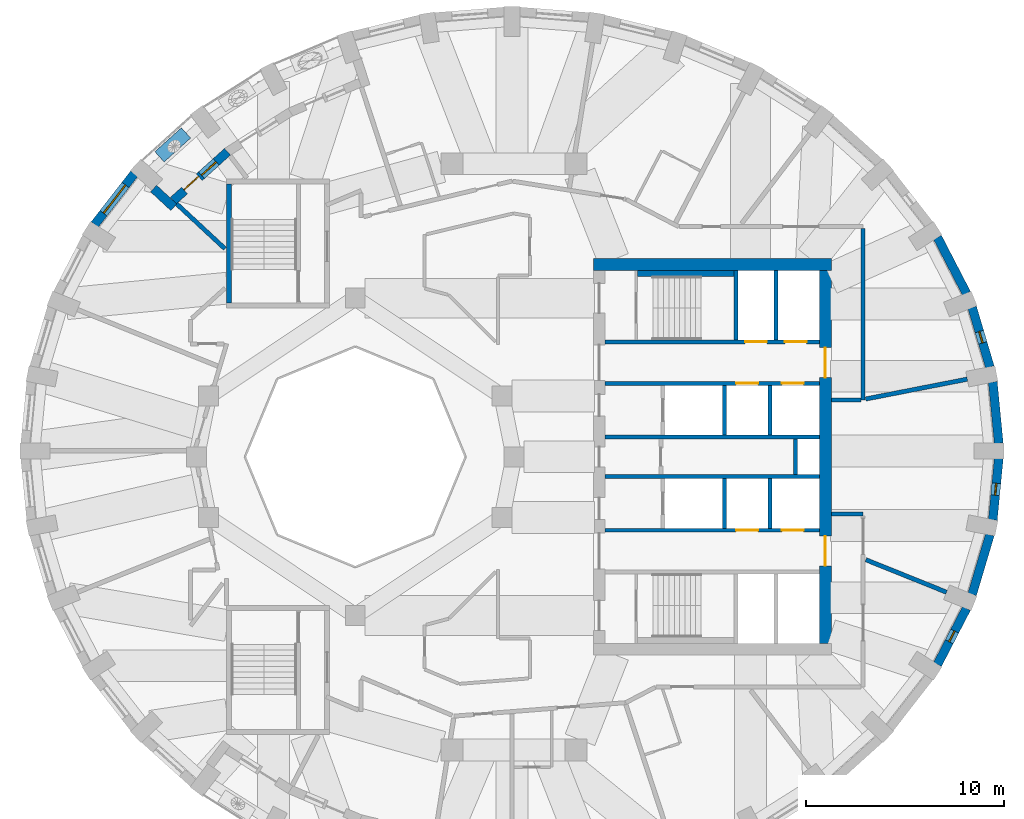
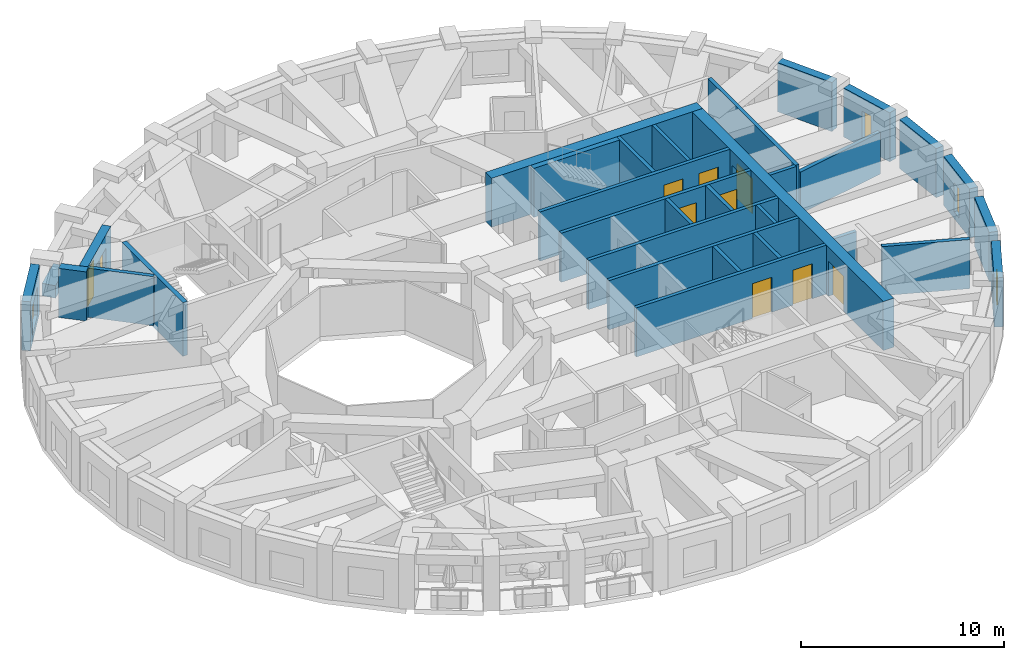
# One storey, part 6 of 12: 32 walls, 9 doors, 5 windows, 14 openings.
"""IFC4 building model written with IfcOpenShell, lengths in metres."""

import ifcopenshell
import ifcopenshell.guid

model = None  # the IFC model being written
_history = None  # IfcOwnerHistory: only IFC2X3 demands one
_inside = {}  # id of a spatial element -> (the spatial element, [elements in it])
_under = {}  # id of a project, library or spatial element -> (it, [spatial elements below it])
_declared = {}  # id of a project -> (the project, [libraries it declares])
_typed = {}  # id of a type object -> (the type object, [elements of that type])
_made_of = {}  # id of a material, layer set ... -> (it, [elements and type objects made of it])


def new_model(schema):
    """Start an empty IFC model of exactly this schema.

    Asked for "IFC4X3", IfcOpenShell would pick the latest addendum, in which some entities
    have other attributes; the version numbers below select the first issue.
    IFC2X3 requires an IfcOwnerHistory on every rooted entity: one is made here for all.
    """
    global model, _history
    if schema == "IFC4X3":
        model = ifcopenshell.file(schema_version=(4, 3, 0, 0))
    else:
        model = ifcopenshell.file(schema=schema)
    _inside.clear()
    _under.clear()
    _declared.clear()
    _typed.clear()
    _made_of.clear()
    _history = None
    if model.schema == "IFC2X3":
        org = make("IfcOrganization", Name="unknown")
        user = make(
            "IfcPersonAndOrganization",
            ThePerson=make("IfcPerson", FamilyName="unknown"),
            TheOrganization=org,
        )
        app = make(
            "IfcApplication",
            ApplicationDeveloper=org,
            Version="unknown",
            ApplicationFullName="unknown",
            ApplicationIdentifier="unknown",
        )
        _history = make(
            "IfcOwnerHistory",
            OwningUser=user,
            OwningApplication=app,
            ChangeAction="ADDED",
            CreationDate=0,
        )
    return model


def make(cls, **values):
    """One entity of the class cls with the attributes given. An attribute that is None is left unset."""
    return model.create_entity(
        cls, **{name: value for name, value in values.items() if value is not None}
    )


def rooted(cls, **values):
    """An entity with a GlobalId (a new one), such as an element, a storey or a relation."""
    return make(cls, GlobalId=ifcopenshell.guid.new(), OwnerHistory=_history, **values)


def si_unit(unit_type, name, prefix=None):
    """IfcSIUnit, for example si_unit("LENGTHUNIT", "METRE", prefix="MILLI")."""
    return make("IfcSIUnit", UnitType=unit_type, Prefix=prefix, Name=name)


def assignment(units):
    """IfcUnitAssignment: the units of a project."""
    return None if units is None else make("IfcUnitAssignment", Units=units)


def point(xyz):
    """IfcCartesianPoint."""
    return None if xyz is None else make("IfcCartesianPoint", Coordinates=xyz)


def direction(xyz):
    """IfcDirection."""
    return None if xyz is None else make("IfcDirection", DirectionRatios=xyz)


def frame(location, z_axis=None, x_axis=None):
    """IfcAxis2Placement3D, a coordinate frame: its origin and axes. An axis left out is left unset."""
    return make(
        "IfcAxis2Placement3D",
        Location=point(location),
        Axis=direction(z_axis),
        RefDirection=direction(x_axis),
    )


def frame_2d(location, x_axis=None):
    """IfcAxis2Placement2D, a coordinate frame in the plane: its origin and x axis."""
    return make(
        "IfcAxis2Placement2D", Location=point(location), RefDirection=direction(x_axis)
    )


def origin():
    """The frame at (0, 0, 0) with its axes left unset."""
    return frame((0.0, 0.0, 0.0))


def place(relative_to, where):
    """IfcLocalPlacement: puts the frame where relative to a parent placement (None: the world)."""
    return make(
        "IfcLocalPlacement", PlacementRelTo=relative_to, RelativePlacement=where
    )


def context(
    kind, dimensions, precision=None, world=None, true_north=None, identifier=None
):
    """IfcGeometricRepresentationContext, for example the 3D "Model" context."""
    return make(
        "IfcGeometricRepresentationContext",
        ContextIdentifier=identifier,
        ContextType=kind,
        CoordinateSpaceDimension=dimensions,
        Precision=precision,
        WorldCoordinateSystem=world,
        TrueNorth=true_north,
    )


def subcontext(parent, identifier, kind, view, scale=None):
    """IfcGeometricRepresentationSubContext, for example "Body" below "Model"."""
    return make(
        "IfcGeometricRepresentationSubContext",
        ContextIdentifier=identifier,
        ContextType=kind,
        ParentContext=parent,
        TargetScale=scale,
        TargetView=view,
    )


def project(units=None, contexts=None):
    """IfcProject with its units and contexts."""
    return rooted(
        "IfcProject",
        Name="project",
        RepresentationContexts=contexts,
        UnitsInContext=assignment(units),
    )


def spatial(cls, under=None, at=None, **own):
    """A site, building, storey or space (cls), placed at a placement, below another one or the project."""
    s = rooted(cls, ObjectPlacement=at, **own)
    if under is not None:
        _under.setdefault(under.id(), (under, []))[1].append(s)
    return s


def profile(cls, at=None, kind="AREA", **sizes):
    """A parametric profile (cls). Its sizes go by their IFC names, for example OverallWidth=200.0."""
    return make(cls, ProfileType=kind, Position=at, **sizes)


def rectangle(**sizes):
    """IfcRectangleProfileDef."""
    return profile("IfcRectangleProfileDef", **sizes)


def extrude(swept, where, along, depth):
    """IfcExtrudedAreaSolid: the profile swept, set in the frame where, extruded along a direction by depth."""
    return make(
        "IfcExtrudedAreaSolid",
        SweptArea=swept,
        Position=where,
        ExtrudedDirection=direction(along),
        Depth=depth,
    )


def shape(context_of_items, identifier, shape_type, items):
    """IfcShapeRepresentation: the items that make up one representation, for example the "Body"."""
    return make(
        "IfcShapeRepresentation",
        ContextOfItems=context_of_items,
        RepresentationIdentifier=identifier,
        RepresentationType=shape_type,
        Items=items,
    )


def material(Name=None, Category=None):
    """IfcMaterial."""
    return make("IfcMaterial", Name=Name, Category=Category)


def layer(
    of_material, thickness, ventilated=None, Name=None, Category=None, Priority=None
):
    """IfcMaterialLayer: one layer of a wall or slab, of a material (None: an air gap)."""
    return make(
        "IfcMaterialLayer",
        Material=of_material,
        LayerThickness=thickness,
        IsVentilated=ventilated,
        Name=Name,
        Category=Category,
        Priority=Priority,
    )


def layer_set(layers, Name=None):
    """IfcMaterialLayerSet."""
    return make("IfcMaterialLayerSet", MaterialLayers=layers, LayerSetName=Name)


def constituent(of_material, Name=None, Category=None, fraction=None):
    """IfcMaterialConstituent: one of the materials an element consists of."""
    return make(
        "IfcMaterialConstituent",
        Name=Name,
        Material=of_material,
        Fraction=fraction,
        Category=Category,
    )


def constituent_set(constituents=None, Name=None):
    """IfcMaterialConstituentSet."""
    return make(
        "IfcMaterialConstituentSet", Name=Name, MaterialConstituents=constituents
    )


def made_of(thing, what):
    """Note that an element or type object is made of a material, layer set ...; save() writes the relation."""
    if what is not None:
        _made_of.setdefault(what.id(), (what, []))[1].append(thing)
    return thing


def type_object(cls, material=None, **own):
    """A type object (cls), such as IfcWallType, which elements share."""
    return made_of(rooted(cls, **own), material)


def element(
    cls,
    number,
    at=None,
    inside=None,
    cuts=None,
    type_object=None,
    material=None,
    context=None,
    identifier="Body",
    shape_type=None,
    held_by="IfcProductDefinitionShape",
    body=None,
    shapes=None,
    **own,
):
    """One element of the class cls, such as IfcWall. Its Tag is "e" and its number.

    at: its placement. inside: the storey or other place that contains it. cuts: it is an
    opening in that element (IfcRelVoidsElement). A single representation is given by context,
    identifier, shape_type and body (its items); several are given by shapes. held_by: the class
    of the entity that holds the representations. save() writes the other relations.
    """
    e = rooted(cls, Tag="e%d" % number, ObjectPlacement=at, **own)
    if body is not None:
        shapes = [shape(context, identifier, shape_type, body)]
    if shapes is not None:
        e.Representation = make(held_by, Representations=shapes)
    if inside is not None:
        _inside.setdefault(inside.id(), (inside, []))[1].append(e)
    if cuts is not None:
        rooted(
            "IfcRelVoidsElement", RelatingBuildingElement=cuts, RelatedOpeningElement=e
        )
    if type_object is not None:
        _typed.setdefault(type_object.id(), (type_object, []))[1].append(e)
    return made_of(e, material)


def fill(opening, filler):
    """IfcRelFillsElement: the door or window that sits in an opening."""
    return rooted(
        "IfcRelFillsElement",
        RelatingOpeningElement=opening,
        RelatedBuildingElement=filler,
    )


def aggregate(whole, parts):
    """IfcRelAggregates: a whole, such as a stair, and the parts it consists of."""
    return rooted("IfcRelAggregates", RelatingObject=whole, RelatedObjects=parts)


def save(model, path):
    """Write the relations noted so far, then the file.

    IfcRelAggregates (storeys below a building ...), IfcRelContainedInSpatialStructure (elements
    in a storey), IfcRelDefinesByType, IfcRelAssociatesMaterial and IfcRelDeclares: one each for
    every whole, place, type object, material and project.
    """
    for whole, parts in _under.values():
        aggregate(whole, parts)
    for where, things in _inside.values():
        rooted(
            "IfcRelContainedInSpatialStructure",
            RelatedElements=things,
            RelatingStructure=where,
        )
    for kind, things in _typed.values():
        rooted("IfcRelDefinesByType", RelatedObjects=things, RelatingType=kind)
    for what, things in _made_of.values():
        rooted("IfcRelAssociatesMaterial", RelatedObjects=things, RelatingMaterial=what)
    for by, libraries in _declared.values():
        rooted("IfcRelDeclares", RelatingContext=by, RelatedDefinitions=libraries)
    model.write(path)


model = new_model("IFC4")

# Units and contexts
model_context = context("Model", 3, precision=1e-05, world=origin(), true_north=direction((0.0, 1.0)))
body_context = subcontext(model_context, "Body", "Model", "MODEL_VIEW")
ifc_project = project(units=[si_unit("LENGTHUNIT", "METRE"), si_unit("AREAUNIT", "SQUARE_METRE"), si_unit("VOLUMEUNIT", "CUBIC_METRE"), si_unit("PLANEANGLEUNIT", "RADIAN"), si_unit("MASSUNIT", "GRAM", prefix="KILO")], contexts=[model_context])

# Site, building, storey
site_placement = place(None, origin())
site = spatial("IfcSite", under=ifc_project, at=site_placement, CompositionType="ELEMENT")
building_placement = place(site_placement, origin())
building = spatial("IfcBuilding", under=site, at=building_placement, Name="Taillehof Tower", CompositionType="ELEMENT")
storey_placement = place(building_placement, frame((0.0, 0.0, 256.39990234375)))
storey = spatial("IfcBuildingStorey", under=building, at=storey_placement, Name="L73", CompositionType="ELEMENT", Elevation=256.39990234375)

# Wall
ifc_material_1 = material(Name="Brick masonry", Category="masonry")
ifc_layer_1 = layer(ifc_material_1, 0.449951171875)
ifc_layer_set_1 = layer_set([ifc_layer_1], Name="Brick infill wall 450")
wall_type_1 = type_object("IfcWallType", Name="Brick infill wall 450", PredefinedType="SOLIDWALL", material=ifc_layer_set_1)
wall_1_placement = place(storey_placement, frame((24.43701171875, 0.68017578125, 0.0), z_axis=(0.0, 0.0, 1.0), x_axis=(-0.096740086873, 0.995309678237, 0.0)))
element("IfcWall", 1, at=wall_1_placement, inside=storey, type_object=wall_type_1, Name="Brick wall L73 bay 1", PredefinedType="SOLIDWALL", context=body_context, shape_type="SweptSolid", body=[
    extrude(rectangle(XDim=3.1142578125, YDim=0.449951171875, at=frame_2d((1.55712890625, 0.0))), origin(), (0.0, 0.0, 1.0), 2.9501953125),
])

# Wall, opening, window
wall_2_placement = place(storey_placement, frame((23.989990234375, 4.52587890625, 0.0), z_axis=(0.0, 0.0, 1.0), x_axis=(-0.285263800865, 0.958449040855, 0.0)))
wall_2 = element("IfcWall", 2, at=wall_2_placement, inside=storey, type_object=wall_type_1, Name="Brick wall L73 bay 2", PredefinedType="SOLIDWALL", context=body_context, shape_type="SweptSolid", body=[
    extrude(rectangle(XDim=3.13916015625, YDim=0.449951171875, at=frame_2d((1.569580078125, 0.0))), origin(), (0.0, 0.0, 1.0), 2.9501953125),
])
opening_1_placement = place(wall_2_placement, frame((1.26953125, 0.0, 0.39990234375)))
opening_1 = element("IfcOpeningElement", 3, at=opening_1_placement, cuts=wall_2, Name="Opening W6", PredefinedType="OPENING", context=body_context, shape_type="SweptSolid", body=[
    extrude(rectangle(XDim=0.60009765625, YDim=1.75, at=frame_2d((0.300048828125, 0.875))), frame((0.0, 0.23486328125, 0.0), z_axis=(0.0, -1.0, 0.0), x_axis=(1.0, 0.0, 0.0)), (0.0, 0.0, 1.0), 0.469970703125),
])
ifc_material_2 = material(Name="Aluminium window frame with clear double glazing", Category="aluminium")
window_type_1 = type_object("IfcWindowType", Name="Slot window 600x1750", PartitioningType="SINGLE_PANEL", PredefinedType="WINDOW", material=ifc_material_2)
window_1_placement = place(opening_1_placement, origin())
window_1 = element("IfcWindow", 4, at=window_1_placement, inside=storey, type_object=window_type_1, Name="W6", OverallHeight=1.75, OverallWidth=0.60009765625, PartitioningType="SINGLE_PANEL", PredefinedType="WINDOW", context=body_context, shape_type="SweptSolid", body=[
    extrude(rectangle(XDim=0.60009765625, YDim=1.75, at=frame_2d((0.300048828125, 0.875))), frame((0.0, 0.034912109375, 0.0), z_axis=(0.0, -1.0, 0.0), x_axis=(1.0, 0.0, 0.0)), (0.0, 0.0, 1.0), 0.06005859375),
])
fill(opening_1, window_1)

# Wall
wall_3_placement = place(storey_placement, frame((22.81005859375, 8.239501953125, 0.0), z_axis=(0.0, 0.0, 1.0), x_axis=(-0.459889857669, 0.887975967475, 0.0)))
element("IfcWall", 5, at=wall_3_placement, inside=storey, type_object=wall_type_1, Name="Brick wall L73 bay 3", PredefinedType="SOLIDWALL", context=body_context, shape_type="SweptSolid", body=[
    extrude(rectangle(XDim=3.185791015625, YDim=0.449951171875, at=frame_2d((1.5927734375, 0.0))), origin(), (0.0, 0.0, 1.0), 2.9501953125),
])

# Wall, opening, window
wall_4_placement = place(storey_placement, frame((-19.1416015625, 14.27197265625, 0.0), z_axis=(0.0, 0.0, 1.0), x_axis=(-0.613862536705, -0.789412937587, 0.0)))
wall_4 = element("IfcWall", 6, at=wall_4_placement, inside=storey, type_object=wall_type_1, Name="Brick wall L73 bay 15", PredefinedType="SOLIDWALL", context=body_context, shape_type="SweptSolid", body=[
    extrude(rectangle(XDim=3.247314453125, YDim=0.449951171875, at=frame_2d((1.62353515625, 0.0))), origin(), (0.0, 0.0, 1.0), 2.9501953125),
])
opening_2_placement = place(wall_4_placement, frame((0.7236328125, 0.0, 0.39990234375)))
opening_2 = element("IfcOpeningElement", 7, at=opening_2_placement, cuts=wall_4, Name="Opening W4", PredefinedType="OPENING", context=body_context, shape_type="SweptSolid", body=[
    extrude(rectangle(XDim=1.800048828125, YDim=1.75, at=frame_2d((0.89990234375, 0.875))), frame((0.0, 0.23486328125, 0.0), z_axis=(0.0, -1.0, 0.0), x_axis=(1.0, 0.0, 0.0)), (0.0, 0.0, 1.0), 0.469970703125),
])
ifc_material_3 = material(Name="Aluminium window frame with clear double glazing", Category="aluminium")
window_type_2 = type_object("IfcWindowType", Name="Deep-set window 1800x1750", PartitioningType="SINGLE_PANEL", PredefinedType="WINDOW", material=ifc_material_3)
window_2_placement = place(opening_2_placement, origin())
window_2 = element("IfcWindow", 8, at=window_2_placement, inside=storey, type_object=window_type_2, Name="W4", OverallHeight=1.75, OverallWidth=1.800048828125, PartitioningType="SINGLE_PANEL", PredefinedType="WINDOW", context=body_context, shape_type="SweptSolid", body=[
    extrude(rectangle(XDim=1.800048828125, YDim=1.75, at=frame_2d((0.89990234375, 0.875))), frame((0.0, 0.034912109375, 0.0), z_axis=(0.0, -1.0, 0.0), x_axis=(1.0, 0.0, 0.0)), (0.0, 0.0, 1.0), 0.06005859375),
])
fill(opening_2, window_2)

wall_5_placement = place(storey_placement, frame((21.344970703125, -10.46826171875, 0.0), z_axis=(0.0, 0.0, 1.0), x_axis=(0.459921155255, 0.887959757505, 0.0)))
wall_5 = element("IfcWall", 9, at=wall_5_placement, inside=storey, type_object=wall_type_1, Name="Brick wall L73 bay 34", PredefinedType="SOLIDWALL", context=body_context, shape_type="SweptSolid", body=[
    extrude(rectangle(XDim=3.185546875, YDim=0.449951171875, at=frame_2d((1.5927734375, 0.0))), origin(), (0.0, 0.0, 1.0), 2.9501953125),
])
opening_3_placement = place(wall_5_placement, frame((1.292724609375, 0.0, 0.39990234375)))
opening_3 = element("IfcOpeningElement", 10, at=opening_3_placement, cuts=wall_5, Name="Opening W6", PredefinedType="OPENING", context=body_context, shape_type="SweptSolid", body=[
    extrude(rectangle(XDim=0.60009765625, YDim=1.75, at=frame_2d((0.300048828125, 0.875))), frame((0.0, 0.23486328125, 0.0), z_axis=(0.0, -1.0, 0.0), x_axis=(1.0, 0.0, 0.0)), (0.0, 0.0, 1.0), 0.469970703125),
])
window_3_placement = place(opening_3_placement, origin())
window_3 = element("IfcWindow", 11, at=window_3_placement, inside=storey, type_object=window_type_1, Name="W6", OverallHeight=1.75, OverallWidth=0.60009765625, PartitioningType="SINGLE_PANEL", PredefinedType="WINDOW", context=body_context, shape_type="SweptSolid", body=[
    extrude(rectangle(XDim=0.60009765625, YDim=1.75, at=frame_2d((0.300048828125, 0.875))), frame((0.0, 0.034912109375, 0.0), z_axis=(0.0, -1.0, 0.0), x_axis=(1.0, 0.0, 0.0)), (0.0, 0.0, 1.0), 0.06005859375),
])
fill(opening_3, window_3)

# Wall
wall_6_placement = place(storey_placement, frame((23.094482421875, -6.9345703125, 0.0), z_axis=(0.0, 0.0, 1.0), x_axis=(0.285263800865, 0.958449040855, 0.0)))
element("IfcWall", 12, at=wall_6_placement, inside=storey, type_object=wall_type_1, Name="Brick wall L73 bay 35", PredefinedType="SOLIDWALL", context=body_context, shape_type="SweptSolid", body=[
    extrude(rectangle(XDim=3.13916015625, YDim=0.449951171875, at=frame_2d((1.569580078125, 0.0))), origin(), (0.0, 0.0, 1.0), 2.9501953125),
])

# Wall, opening, window
wall_7_placement = place(storey_placement, frame((24.1357421875, -3.179931640625, 0.0), z_axis=(0.0, 0.0, 1.0), x_axis=(0.09673253904, 0.995310411827, 0.0)))
wall_7 = element("IfcWall", 13, at=wall_7_placement, inside=storey, type_object=wall_type_1, Name="Brick wall L73 bay 36", PredefinedType="SOLIDWALL", context=body_context, shape_type="SweptSolid", body=[
    extrude(rectangle(XDim=3.114501953125, YDim=0.449951171875, at=frame_2d((1.55712890625, 0.0))), origin(), (0.0, 0.0, 1.0), 2.9501953125),
])
opening_4_placement = place(wall_7_placement, frame((1.257080078125, 0.0, 0.39990234375)))
opening_4 = element("IfcOpeningElement", 14, at=opening_4_placement, cuts=wall_7, Name="Opening W6", PredefinedType="OPENING", context=body_context, shape_type="SweptSolid", body=[
    extrude(rectangle(XDim=0.60009765625, YDim=1.75, at=frame_2d((0.300048828125, 0.875))), frame((0.0, 0.23486328125, 0.0), z_axis=(0.0, -1.0, 0.0), x_axis=(1.0, 0.0, 0.0)), (0.0, 0.0, 1.0), 0.469970703125),
])
window_4_placement = place(opening_4_placement, origin())
window_4 = element("IfcWindow", 15, at=window_4_placement, inside=storey, type_object=window_type_1, Name="W6", OverallHeight=1.75, OverallWidth=0.60009765625, PartitioningType="SINGLE_PANEL", PredefinedType="WINDOW", context=body_context, shape_type="SweptSolid", body=[
    extrude(rectangle(XDim=0.60009765625, YDim=1.75, at=frame_2d((0.300048828125, 0.875))), frame((0.0, 0.034912109375, 0.0), z_axis=(0.0, -1.0, 0.0), x_axis=(1.0, 0.0, 0.0)), (0.0, 0.0, 1.0), 0.06005859375),
])
fill(opening_4, window_4)

# Wall
wall_8_placement = place(storey_placement, frame((-18.16748046875, 13.52685546875, 0.0), z_axis=(0.0, 0.0, 1.0), x_axis=(0.732693451389, -0.680558819127, 0.0)))
element("IfcWall", 16, at=wall_8_placement, inside=storey, type_object=wall_type_1, Name="Brick reveal L73 pocket 3", PredefinedType="SOLIDWALL", context=body_context, shape_type="SweptSolid", body=[
    extrude(rectangle(XDim=1.390869140625, YDim=0.449951171875, at=frame_2d((0.6953125, 0.0))), origin(), (0.0, 0.0, 1.0), 2.9501953125),
])

# Wall, openings, door, window
wall_9_placement = place(storey_placement, frame((-14.440673828125, 15.379638671875, 0.0), z_axis=(0.0, 0.0, 1.0), x_axis=(-0.742152631569, -0.670230909057, 0.0)))
wall_9 = element("IfcWall", 17, at=wall_9_placement, inside=storey, type_object=wall_type_1, Name="Brick wall L73 pocket bay 14", PredefinedType="SOLIDWALL", context=body_context, shape_type="SweptSolid", body=[
    extrude(rectangle(XDim=3.68310546875, YDim=0.449951171875, at=frame_2d((1.841552734375, 0.0))), origin(), (0.0, 0.0, 1.0), 2.9501953125),
])
opening_5_placement = place(wall_9_placement, frame((0.7666015625, 0.0, 0.39990234375)))
opening_5 = element("IfcOpeningElement", 18, at=opening_5_placement, cuts=wall_9, Name="Opening W5", PredefinedType="OPENING", context=body_context, shape_type="SweptSolid", body=[
    extrude(rectangle(XDim=1.0, YDim=1.75, at=frame_2d((0.5, 0.875))), frame((0.0, 0.23486328125, 0.0), z_axis=(0.0, -1.0, 0.0), x_axis=(1.0, 0.0, 0.0)), (0.0, 0.0, 1.0), 0.469970703125),
])
opening_6_placement = place(wall_9_placement, frame((1.91650390625, 0.0, 0.0)))
opening_6 = element("IfcOpeningElement", 19, at=opening_6_placement, cuts=wall_9, Name="Opening D7393", PredefinedType="OPENING", context=body_context, shape_type="SweptSolid", body=[
    extrude(rectangle(XDim=1.0, YDim=2.14990234375, at=frame_2d((0.5, 1.074951171875))), frame((0.0, 0.23486328125, 0.0), z_axis=(0.0, -1.0, 0.0), x_axis=(1.0, 0.0, 0.0)), (0.0, 0.0, 1.0), 0.469970703125),
])
ifc_material_4 = material(Name="Aluminium door frame with clear double glazing", Category="aluminium")
door_type_1 = type_object("IfcDoorType", Name="Balcony door 1000x2150", OperationType="SINGLE_SWING_RIGHT", PredefinedType="DOOR", material=ifc_material_4)
door_1_placement = place(opening_6_placement, origin())
door_1 = element("IfcDoor", 20, at=door_1_placement, inside=storey, type_object=door_type_1, Name="Balcony door L73 bay 14", OperationType="SINGLE_SWING_LEFT", OverallHeight=2.14990234375, OverallWidth=1.0, PredefinedType="DOOR", context=body_context, shape_type="SweptSolid", body=[
    extrude(rectangle(XDim=1.0, YDim=2.14990234375, at=frame_2d((0.5, 1.074951171875))), frame((0.0, -0.02490234375, 0.0), z_axis=(0.0, -1.0, 0.0), x_axis=(1.0, 0.0, 0.0)), (0.0, 0.0, 1.0), 0.050048828125),
])
fill(opening_6, door_1)
ifc_material_5 = material(Name="Aluminium window frame with clear double glazing", Category="aluminium")
window_type_3 = type_object("IfcWindowType", Name="Fixed window 1000x1750", PartitioningType="SINGLE_PANEL", PredefinedType="WINDOW", material=ifc_material_5)
window_5_placement = place(opening_5_placement, origin())
window_5 = element("IfcWindow", 21, at=window_5_placement, inside=storey, type_object=window_type_3, Name="W5", OverallHeight=1.75, OverallWidth=1.0, PartitioningType="SINGLE_PANEL", PredefinedType="WINDOW", context=body_context, shape_type="SweptSolid", body=[
    extrude(rectangle(XDim=1.0, YDim=1.75, at=frame_2d((0.5, 0.875))), frame((0.0, 0.034912109375, 0.0), z_axis=(0.0, -1.0, 0.0), x_axis=(1.0, 0.0, 0.0)), (0.0, 0.0, 1.0), 0.06005859375),
])
fill(opening_5, window_5)

# Walls
ifc_material_6 = material(Name="Calcium silicate masonry", Category="masonry")
ifc_layer_2 = layer(ifc_material_6, 0.199951171875)
ifc_layer_set_2 = layer_set([ifc_layer_2], Name="Compartment wall calcium silicate 200")
wall_type_2 = type_object("IfcWallType", Name="Compartment wall calcium silicate 200", PredefinedType="PARTITIONING", material=ifc_layer_set_2)
wall_10_placement = place(storey_placement, frame((14.199951171875, -0.89990234375, 0.0), z_axis=(0.0, 0.0, 1.0), x_axis=(0.0, 1.0, 0.0)))
element("IfcWall", 22, at=wall_10_placement, inside=storey, type_object=wall_type_2, Name="Compartment wall FW", PredefinedType="PARTITIONING", context=body_context, shape_type="SweptSolid", body=[
    extrude(rectangle(XDim=1.7998046875, YDim=0.199951171875, at=frame_2d((0.89990234375, 0.0))), origin(), (0.0, 0.0, 1.0), 2.9501953125),
])
ifc_material_7 = material(Name="Gypsum board on steel studs, two layers each side", Category="steel")
ifc_layer_3 = layer(ifc_material_7, 0.199951171875)
ifc_layer_set_3 = layer_set([ifc_layer_3], Name="Compartment wall corridor 200")
wall_type_3 = type_object("IfcWallType", Name="Compartment wall corridor 200", PredefinedType="PARTITIONING", material=ifc_layer_set_3)
wall_11_placement = place(storey_placement, frame((17.60009765625, 11.5, 0.0), z_axis=(0.0, 0.0, 1.0), x_axis=(0.0, -1.0, 0.0)))
element("IfcWall", 23, at=wall_11_placement, inside=storey, type_object=wall_type_3, Name="Compartment wall", PredefinedType="PARTITIONING", context=body_context, shape_type="SweptSolid", body=[
    extrude(rectangle(XDim=8.622802734375, YDim=0.199951171875, at=frame_2d((4.3115234375, 0.0))), origin(), (0.0, 0.0, 1.0), 2.9501953125),
])
wall_12_placement = place(storey_placement, frame((17.5, 2.877197265625, 0.0), z_axis=(0.0, 0.0, 1.0), x_axis=(-1.0, 0.0, 0.0)))
element("IfcWall", 24, at=wall_12_placement, inside=storey, type_object=wall_type_3, Name="Compartment wall", PredefinedType="PARTITIONING", context=body_context, shape_type="SweptSolid", body=[
    extrude(rectangle(XDim=1.49609375, YDim=0.199951171875, at=frame_2d((0.748046875, 0.0))), origin(), (0.0, 0.0, 1.0), 2.9501953125),
])
wall_13_placement = place(storey_placement, frame((16.00390625, -2.877197265625, 0.0), z_axis=(0.0, 0.0, 1.0), x_axis=(1.0, 0.0, 0.0)))
element("IfcWall", 25, at=wall_13_placement, inside=storey, type_object=wall_type_3, Name="Compartment wall", PredefinedType="PARTITIONING", context=body_context, shape_type="SweptSolid", body=[
    extrude(rectangle(XDim=1.59619140625, YDim=0.199951171875, at=frame_2d((0.798095703125, 0.0))), origin(), (0.0, 0.0, 1.0), 2.5),
])
ifc_material_8 = material(Name="Gypsum board on double steel studs with mineral wool", Category="steel")
ifc_layer_4 = layer(ifc_material_8, 0.219970703125)
ifc_layer_set_4 = layer_set([ifc_layer_4], Name="Compartment wall guest room 220")
wall_type_4 = type_object("IfcWallType", Name="Compartment wall guest room 220", PredefinedType="PARTITIONING", material=ifc_layer_set_4)
wall_14_placement = place(storey_placement, frame((22.8486328125, 3.915771484375, 0.0), z_axis=(0.0, 0.0, 1.0), x_axis=(-0.981474096155, -0.191594881394, 0.0)))
element("IfcWall", 26, at=wall_14_placement, inside=storey, type_object=wall_type_4, Name="Compartment wall", PredefinedType="PARTITIONING", context=body_context, shape_type="SweptSolid", body=[
    extrude(rectangle(XDim=5.225830078125, YDim=0.219970703125, at=frame_2d((2.61279296875, 0.0))), origin(), (0.0, 0.0, 1.0), 2.5),
])
wall_15_placement = place(storey_placement, frame((-17.008544921875, 12.757568359375, 0.0), z_axis=(0.0, 0.0, 1.0), x_axis=(0.732631495403, -0.680625515202, 0.0)))
element("IfcWall", 27, at=wall_15_placement, inside=storey, type_object=wall_type_4, Name="Compartment wall", PredefinedType="PARTITIONING", context=body_context, shape_type="SweptSolid", body=[
    extrude(rectangle(XDim=3.328369140625, YDim=0.219970703125, at=frame_2d((1.6640625, 0.0))), origin(), (0.0, 0.0, 1.0), 2.9501953125),
])
wall_16_placement = place(storey_placement, frame((21.803955078125, -6.824462890625, 0.0), z_axis=(0.0, 0.0, 1.0), x_axis=(-0.927528978592, 0.373751245981, 0.0)))
element("IfcWall", 28, at=wall_16_placement, inside=storey, type_object=wall_type_4, Name="Compartment wall", PredefinedType="PARTITIONING", context=body_context, shape_type="SweptSolid", body=[
    extrude(rectangle(XDim=4.38427734375, YDim=0.219970703125, at=frame_2d((2.192138671875, 0.0))), origin(), (0.0, 0.0, 1.0), 2.9501953125),
])
ifc_material_9 = material(Name="Calcium silicate masonry", Category="masonry")
ifc_layer_5 = layer(ifc_material_9, 0.300048828125)
ifc_layer_set_5 = layer_set([ifc_layer_5], Name="Compartment wall lining calcium silicate 300")
wall_type_5 = type_object("IfcWallType", Name="Compartment wall lining calcium silicate 300", PredefinedType="PARTITIONING", material=ifc_layer_set_5)
wall_17_placement = place(storey_placement, frame((6.219970703125, 9.25, 0.0), z_axis=(0.0, 0.0, 1.0), x_axis=(1.0, 0.0, 0.0)))
element("IfcWall", 29, at=wall_17_placement, inside=storey, type_object=wall_type_5, Name="Compartment wall FW", PredefinedType="PARTITIONING", context=body_context, shape_type="SweptSolid", body=[
    extrude(rectangle(XDim=4.880126953125, YDim=0.300048828125, at=frame_2d((2.43994140625, 0.0))), origin(), (0.0, 0.0, 1.0), 2.9501953125),
])

# Wall, openings, doors
ifc_material_10 = material(Name="Concrete C80/95", Category="concrete")
ifc_layer_6 = layer(ifc_material_10, 0.60009765625)
ifc_layer_set_6 = layer_set([ifc_layer_6], Name="Core wall C80/95 600")
wall_type_6 = type_object("IfcWallType", Name="Core wall C80/95 600", PredefinedType="SHEAR", material=ifc_layer_set_6)
wall_18_placement = place(storey_placement, frame((15.699951171875, -9.39990234375, 0.0), z_axis=(0.0, 0.0, 1.0), x_axis=(0.0, 1.0, 0.0)))
wall_18 = element("IfcWall", 30, at=wall_18_placement, inside=storey, type_object=wall_type_6, Name="Core wall CW05", PredefinedType="SHEAR", context=body_context, shape_type="SweptSolid", body=[
    extrude(rectangle(XDim=18.7998046875, YDim=0.60009765625, at=frame_2d((9.39990234375, 0.0))), origin(), (0.0, 0.0, 1.0), 2.9501953125),
])
opening_7_placement = place(wall_18_placement, frame((13.39990234375, 0.0, 0.0)))
opening_7 = element("IfcOpeningElement", 31, at=opening_7_placement, cuts=wall_18, Name="Opening D7308", PredefinedType="OPENING", context=body_context, shape_type="SweptSolid", body=[
    extrude(rectangle(XDim=1.5, YDim=2.10009765625, at=frame_2d((0.75, 1.050048828125))), frame((0.0, 0.31005859375, 0.0), z_axis=(0.0, -1.0, 0.0), x_axis=(1.0, 0.0, 0.0)), (0.0, 0.0, 1.0), 0.6201171875),
])
opening_8_placement = place(wall_18_placement, frame((3.89990234375, 0.0, 0.0)))
opening_8 = element("IfcOpeningElement", 32, at=opening_8_placement, cuts=wall_18, Name="Opening D7309", PredefinedType="OPENING", context=body_context, shape_type="SweptSolid", body=[
    extrude(rectangle(XDim=1.5, YDim=2.10009765625, at=frame_2d((0.75, 1.050048828125))), frame((0.0, 0.31005859375, 0.0), z_axis=(0.0, -1.0, 0.0), x_axis=(1.0, 0.0, 0.0)), (0.0, 0.0, 1.0), 0.6201171875),
])
ifc_material_11 = material(Name="Steel-faced fire door", Category="steel")
door_type_2 = type_object("IfcDoorType", Name="Lift lobby east door 1500x2100", OperationType="DOUBLE_DOOR_SINGLE_SWING", PredefinedType="DOOR", material=ifc_material_11)
door_2_placement = place(opening_7_placement, origin())
door_2 = element("IfcDoor", 33, at=door_2_placement, inside=storey, type_object=door_type_2, Name="Lift lobby east door north", OperationType="DOUBLE_DOOR_SINGLE_SWING", OverallHeight=2.10009765625, OverallWidth=1.5, PredefinedType="DOOR", context=body_context, shape_type="SweptSolid", body=[
    extrude(rectangle(XDim=1.5, YDim=2.10009765625, at=frame_2d((0.75, 1.050048828125))), frame((0.0, 0.02490234375, 0.0), z_axis=(0.0, -1.0, 0.0), x_axis=(1.0, 0.0, 0.0)), (0.0, 0.0, 1.0), 0.050048828125),
])
fill(opening_7, door_2)
door_3_placement = place(opening_8_placement, origin())
door_3 = element("IfcDoor", 34, at=door_3_placement, inside=storey, type_object=door_type_2, Name="Lift lobby east door south", OperationType="DOUBLE_DOOR_SINGLE_SWING", OverallHeight=2.10009765625, OverallWidth=1.5, PredefinedType="DOOR", context=body_context, shape_type="SweptSolid", body=[
    extrude(rectangle(XDim=1.5, YDim=2.10009765625, at=frame_2d((0.75, 1.050048828125))), frame((0.0, 0.02490234375, 0.0), z_axis=(0.0, -1.0, 0.0), x_axis=(1.0, 0.0, 0.0)), (0.0, 0.0, 1.0), 0.050048828125),
])
fill(opening_8, door_3)

# Walls
wall_19_placement = place(storey_placement, frame((4.0, 9.699951171875, 0.0), z_axis=(0.0, 0.0, 1.0), x_axis=(1.0, 0.0, 0.0)))
element("IfcWall", 35, at=wall_19_placement, inside=storey, type_object=wall_type_6, Name="Core wall CW06", PredefinedType="SHEAR", context=body_context, shape_type="SweptSolid", body=[
    extrude(rectangle(XDim=12.0, YDim=0.60009765625, at=frame_2d((6.0, 0.0))), origin(), (0.0, 0.0, 1.0), 2.9501953125),
])
ifc_material_12 = material(Name="Concrete C30/37 precast", Category="concrete")
ifc_constituent_1 = constituent(ifc_material_12, Name="Structure", Category="concrete")
ifc_material_13 = material(Name="Insulated lining")
ifc_constituent_2 = constituent(ifc_material_13, Name="Lining")
ifc_constituent_set = constituent_set(constituents=[ifc_constituent_1, ifc_constituent_2], Name="Planter trough 700x750")
wall_type_7 = type_object("IfcWallType", Name="Planter trough 700x750", PredefinedType="USERDEFINED", material=ifc_constituent_set)
wall_20_placement = place(storey_placement, frame((-16.5322265625, 16.328125, 0.0), z_axis=(0.0, 0.0, 1.0), x_axis=(-0.743098542319, -0.669182005439, 0.0)))
element("IfcWall", 36, at=wall_20_placement, inside=storey, type_object=wall_type_7, Name="Planter L73 bay 14", ObjectType="PLANTER", PredefinedType="USERDEFINED", context=body_context, shape_type="SweptSolid", body=[
    extrude(rectangle(XDim=1.800048828125, YDim=0.699951171875, at=frame_2d((0.89990234375, 0.0))), origin(), (0.0, 0.0, 1.0), 0.75),
])

# Wall, openings, doors
ifc_material_14 = material(Name="Concrete C50/60", Category="concrete")
ifc_layer_7 = layer(ifc_material_14, 0.199951171875)
ifc_layer_set_7 = layer_set([ifc_layer_7], Name="Shaft wall C50/60 200")
wall_type_8 = type_object("IfcWallType", Name="Shaft wall C50/60 200", PredefinedType="SHEAR", material=ifc_layer_set_7)
wall_21_placement = place(storey_placement, frame((4.60009765625, 5.800048828125, 0.0), z_axis=(0.0, 0.0, 1.0), x_axis=(1.0, 0.0, 0.0)))
wall_21 = element("IfcWall", 37, at=wall_21_placement, inside=storey, type_object=wall_type_8, Name="Shaft wall SW", PredefinedType="SHEAR", context=body_context, shape_type="SweptSolid", body=[
    extrude(rectangle(XDim=10.7998046875, YDim=0.199951171875, at=frame_2d((5.39990234375, 0.0))), origin(), (0.0, 0.0, 1.0), 2.9501953125),
])
opening_9_placement = place(wall_21_placement, frame((7.050048828125, 0.0, 0.0)))
opening_9 = element("IfcOpeningElement", 38, at=opening_9_placement, cuts=wall_21, Name="Opening LD1", PredefinedType="OPENING", context=body_context, shape_type="SweptSolid", body=[
    extrude(rectangle(XDim=1.10009765625, YDim=2.10009765625, at=frame_2d((0.550048828125, 1.050048828125))), frame((0.0, 0.10986328125, 0.0), z_axis=(0.0, -1.0, 0.0), x_axis=(1.0, 0.0, 0.0)), (0.0, 0.0, 1.0), 0.219970703125),
])
opening_10_placement = place(wall_21_placement, frame((9.050048828125, 0.0, 0.0)))
opening_10 = element("IfcOpeningElement", 39, at=opening_10_placement, cuts=wall_21, Name="Opening LD1", PredefinedType="OPENING", context=body_context, shape_type="SweptSolid", body=[
    extrude(rectangle(XDim=1.10009765625, YDim=2.10009765625, at=frame_2d((0.550048828125, 1.050048828125))), frame((0.0, 0.10986328125, 0.0), z_axis=(0.0, -1.0, 0.0), x_axis=(1.0, 0.0, 0.0)), (0.0, 0.0, 1.0), 0.219970703125),
])
ifc_material_15 = material(Name="Stainless steel", Category="steel")
door_type_3 = type_object("IfcDoorType", Name="Lift landing door LD1 1100x2100", OperationType="DOUBLE_DOOR_SLIDING", PredefinedType="DOOR", material=ifc_material_15)
door_4_placement = place(opening_9_placement, origin())
door_4 = element("IfcDoor", 40, at=door_4_placement, inside=storey, type_object=door_type_3, Name="Landing door HR1", OperationType="DOUBLE_DOOR_SLIDING", OverallHeight=2.10009765625, OverallWidth=1.10009765625, PredefinedType="DOOR", context=body_context, shape_type="SweptSolid", body=[
    extrude(rectangle(XDim=1.10009765625, YDim=2.10009765625, at=frame_2d((0.550048828125, 1.050048828125))), frame((0.0, 0.02490234375, 0.0), z_axis=(0.0, -1.0, 0.0), x_axis=(1.0, 0.0, 0.0)), (0.0, 0.0, 1.0), 0.050048828125),
])
fill(opening_9, door_4)
door_5_placement = place(opening_10_placement, origin())
door_5 = element("IfcDoor", 41, at=door_5_placement, inside=storey, type_object=door_type_3, Name="Landing door HR2", OperationType="DOUBLE_DOOR_SLIDING", OverallHeight=2.10009765625, OverallWidth=1.10009765625, PredefinedType="DOOR", context=body_context, shape_type="SweptSolid", body=[
    extrude(rectangle(XDim=1.10009765625, YDim=2.10009765625, at=frame_2d((0.550048828125, 1.050048828125))), frame((0.0, 0.02490234375, 0.0), z_axis=(0.0, -1.0, 0.0), x_axis=(1.0, 0.0, 0.0)), (0.0, 0.0, 1.0), 0.050048828125),
])
fill(opening_10, door_5)

wall_22_placement = place(storey_placement, frame((4.60009765625, 3.699951171875, 0.0), z_axis=(0.0, 0.0, 1.0), x_axis=(1.0, 0.0, 0.0)))
wall_22 = element("IfcWall", 42, at=wall_22_placement, inside=storey, type_object=wall_type_8, Name="Shaft wall SW", PredefinedType="SHEAR", context=body_context, shape_type="SweptSolid", body=[
    extrude(rectangle(XDim=10.7998046875, YDim=0.199951171875, at=frame_2d((5.39990234375, 0.0))), origin(), (0.0, 0.0, 1.0), 2.9501953125),
])
opening_11_placement = place(wall_22_placement, frame((6.60009765625, 0.0, 0.0)))
opening_11 = element("IfcOpeningElement", 43, at=opening_11_placement, cuts=wall_22, Name="Opening LD1", PredefinedType="OPENING", context=body_context, shape_type="SweptSolid", body=[
    extrude(rectangle(XDim=1.10009765625, YDim=2.10009765625, at=frame_2d((0.550048828125, 1.050048828125))), frame((0.0, 0.10986328125, 0.0), z_axis=(0.0, -1.0, 0.0), x_axis=(1.0, 0.0, 0.0)), (0.0, 0.0, 1.0), 0.219970703125),
])
opening_12_placement = place(wall_22_placement, frame((8.89990234375, 0.0, 0.0)))
opening_12 = element("IfcOpeningElement", 44, at=opening_12_placement, cuts=wall_22, Name="Opening LD1", PredefinedType="OPENING", context=body_context, shape_type="SweptSolid", body=[
    extrude(rectangle(XDim=1.10009765625, YDim=2.10009765625, at=frame_2d((0.550048828125, 1.050048828125))), frame((0.0, 0.10986328125, 0.0), z_axis=(0.0, -1.0, 0.0), x_axis=(1.0, 0.0, 0.0)), (0.0, 0.0, 1.0), 0.219970703125),
])
door_6_placement = place(opening_11_placement, origin())
door_6 = element("IfcDoor", 45, at=door_6_placement, inside=storey, type_object=door_type_3, Name="Landing door HR3", OperationType="DOUBLE_DOOR_SLIDING", OverallHeight=2.10009765625, OverallWidth=1.10009765625, PredefinedType="DOOR", context=body_context, shape_type="SweptSolid", body=[
    extrude(rectangle(XDim=1.10009765625, YDim=2.10009765625, at=frame_2d((0.550048828125, 1.050048828125))), frame((0.0, 0.02490234375, 0.0), z_axis=(0.0, -1.0, 0.0), x_axis=(1.0, 0.0, 0.0)), (0.0, 0.0, 1.0), 0.050048828125),
])
fill(opening_11, door_6)
door_7_placement = place(opening_12_placement, origin())
door_7 = element("IfcDoor", 46, at=door_7_placement, inside=storey, type_object=door_type_3, Name="Landing door HR4", OperationType="DOUBLE_DOOR_SLIDING", OverallHeight=2.10009765625, OverallWidth=1.10009765625, PredefinedType="DOOR", context=body_context, shape_type="SweptSolid", body=[
    extrude(rectangle(XDim=1.10009765625, YDim=2.10009765625, at=frame_2d((0.550048828125, 1.050048828125))), frame((0.0, 0.02490234375, 0.0), z_axis=(0.0, -1.0, 0.0), x_axis=(1.0, 0.0, 0.0)), (0.0, 0.0, 1.0), 0.050048828125),
])
fill(opening_12, door_7)

# Walls
for number, where, z_axis, x_axis, name in (
    (47, (4.60009765625, 1.0, 0.0), (0.0, 0.0, 1.0), (1.0, 0.0, 0.0), "Shaft wall SW"),
    (48, (4.60009765625, -1.0, 0.0), (0.0, 0.0, 1.0), (1.0, 0.0, 0.0), "Shaft wall SW"),
):
    element("IfcWall", number, at=place(storey_placement, frame(where, z_axis=z_axis, x_axis=x_axis)), inside=storey, type_object=wall_type_8, Name=name, PredefinedType="SHEAR", context=body_context, shape_type="SweptSolid", body=[
        extrude(rectangle(XDim=10.7998046875, YDim=0.199951171875, at=frame_2d((5.39990234375, 0.0))), origin(), (0.0, 0.0, 1.0), 2.9501953125),
    ])

# Wall, openings, doors
wall_23_placement = place(storey_placement, frame((4.60009765625, -3.699951171875, 0.0), z_axis=(0.0, 0.0, 1.0), x_axis=(1.0, 0.0, 0.0)))
wall_23 = element("IfcWall", 49, at=wall_23_placement, inside=storey, type_object=wall_type_8, Name="Shaft wall SW", PredefinedType="SHEAR", context=body_context, shape_type="SweptSolid", body=[
    extrude(rectangle(XDim=10.7998046875, YDim=0.199951171875, at=frame_2d((5.39990234375, 0.0))), origin(), (0.0, 0.0, 1.0), 2.9501953125),
])
opening_13_placement = place(wall_23_placement, frame((6.60009765625, 0.0, 0.0)))
opening_13 = element("IfcOpeningElement", 50, at=opening_13_placement, cuts=wall_23, Name="Opening LD1", PredefinedType="OPENING", context=body_context, shape_type="SweptSolid", body=[
    extrude(rectangle(XDim=1.10009765625, YDim=2.10009765625, at=frame_2d((0.550048828125, 1.050048828125))), frame((0.0, 0.10986328125, 0.0), z_axis=(0.0, -1.0, 0.0), x_axis=(1.0, 0.0, 0.0)), (0.0, 0.0, 1.0), 0.219970703125),
])
opening_14_placement = place(wall_23_placement, frame((8.89990234375, 0.0, 0.0)))
opening_14 = element("IfcOpeningElement", 51, at=opening_14_placement, cuts=wall_23, Name="Opening LD1", PredefinedType="OPENING", context=body_context, shape_type="SweptSolid", body=[
    extrude(rectangle(XDim=1.10009765625, YDim=2.10009765625, at=frame_2d((0.550048828125, 1.050048828125))), frame((0.0, 0.10986328125, 0.0), z_axis=(0.0, -1.0, 0.0), x_axis=(1.0, 0.0, 0.0)), (0.0, 0.0, 1.0), 0.219970703125),
])
door_8_placement = place(opening_13_placement, origin())
door_8 = element("IfcDoor", 52, at=door_8_placement, inside=storey, type_object=door_type_3, Name="Landing door HR5", OperationType="DOUBLE_DOOR_SLIDING", OverallHeight=2.10009765625, OverallWidth=1.10009765625, PredefinedType="DOOR", context=body_context, shape_type="SweptSolid", body=[
    extrude(rectangle(XDim=1.10009765625, YDim=2.10009765625, at=frame_2d((0.550048828125, 1.050048828125))), frame((0.0, 0.02490234375, 0.0), z_axis=(0.0, -1.0, 0.0), x_axis=(1.0, 0.0, 0.0)), (0.0, 0.0, 1.0), 0.050048828125),
])
fill(opening_13, door_8)
door_9_placement = place(opening_14_placement, origin())
door_9 = element("IfcDoor", 53, at=door_9_placement, inside=storey, type_object=door_type_3, Name="Landing door HR6", OperationType="DOUBLE_DOOR_SLIDING", OverallHeight=2.10009765625, OverallWidth=1.10009765625, PredefinedType="DOOR", context=body_context, shape_type="SweptSolid", body=[
    extrude(rectangle(XDim=1.10009765625, YDim=2.10009765625, at=frame_2d((0.550048828125, 1.050048828125))), frame((0.0, 0.02490234375, 0.0), z_axis=(0.0, -1.0, 0.0), x_axis=(1.0, 0.0, 0.0)), (0.0, 0.0, 1.0), 0.050048828125),
])
fill(opening_14, door_9)

# Walls
for number, where, z_axis, x_axis, name in (
    (54, (11.199951171875, 5.89990234375, 0.0), (0.0, 0.0, 1.0), (0.0, 1.0, 0.0), "Shaft wall SW"),
    (55, (13.199951171875, 5.89990234375, 0.0), (0.0, 0.0, 1.0), (0.0, 1.0, 0.0), "Shaft wall SW"),
):
    element("IfcWall", number, at=place(storey_placement, frame(where, z_axis=z_axis, x_axis=x_axis)), inside=storey, type_object=wall_type_8, Name=name, PredefinedType="SHEAR", context=body_context, shape_type="SweptSolid", body=[
        extrude(rectangle(XDim=3.5, YDim=0.199951171875, at=frame_2d((1.75, 0.0))), origin(), (0.0, 0.0, 1.0), 2.9501953125),
    ])
for number, where, z_axis, x_axis, name in (
    (56, (10.60009765625, 1.10009765625, 0.0), (0.0, 0.0, 1.0), (0.0, 1.0, 0.0), "Shaft wall SW"),
    (57, (10.60009765625, -3.60009765625, 0.0), (0.0, 0.0, 1.0), (0.0, 1.0, 0.0), "Shaft wall SW"),
    (58, (12.89990234375, 1.10009765625, 0.0), (0.0, 0.0, 1.0), (0.0, 1.0, 0.0), "Shaft wall SW"),
    (59, (12.89990234375, -3.60009765625, 0.0), (0.0, 0.0, 1.0), (0.0, 1.0, 0.0), "Shaft wall SW"),
):
    element("IfcWall", number, at=place(storey_placement, frame(where, z_axis=z_axis, x_axis=x_axis)), inside=storey, type_object=wall_type_8, Name=name, PredefinedType="SHEAR", context=body_context, shape_type="SweptSolid", body=[
        extrude(rectangle(XDim=2.5, YDim=0.199951171875, at=frame_2d((1.25, 0.0))), origin(), (0.0, 0.0, 1.0), 2.9501953125),
    ])
ifc_material_16 = material(Name="Concrete C50/60", Category="concrete")
ifc_layer_8 = layer(ifc_material_16, 0.25)
ifc_layer_set_8 = layer_set([ifc_layer_8], Name="Stair wall C50/60 250")
wall_type_9 = type_object("IfcWallType", Name="Stair wall C50/60 250", PredefinedType="SHEAR", material=ifc_layer_set_8)
wall_24_placement = place(storey_placement, frame((-14.375, 7.75, -0.27978515625), z_axis=(0.0, 0.0, 1.0), x_axis=(0.0, 1.0, 0.0)))
element("IfcWall", 60, at=wall_24_placement, inside=storey, type_object=wall_type_9, Name="Stair wall SC", PredefinedType="SHEAR", context=body_context, shape_type="SweptSolid", body=[
    extrude(rectangle(XDim=6.0, YDim=0.25, at=frame_2d((3.0, 0.0))), origin(), (0.0, 0.0, 1.0), 3.22998046875),
])

save(model, "model.ifc")
